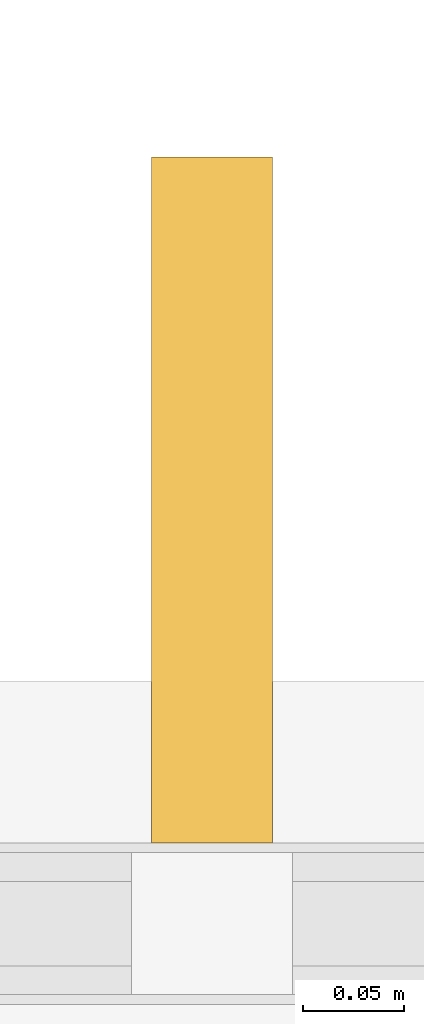
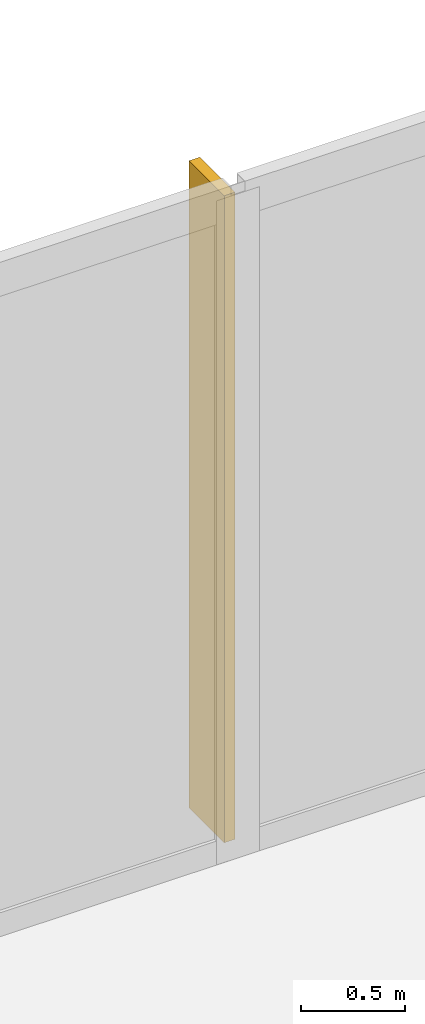
# One storey, part 28 of 31: 1 shading device.
"""IFC4 building model written with IfcOpenShell, lengths in metres."""

from ifc_helpers import new_model, si_unit, direction, frame, origin, place, context, subcontext, project, spatial, polyline, outline, extrude, material, layer, layer_set, type_object, element, save


model = new_model("IFC4")

# Units and contexts
model_context = context("Model", 3, precision=1e-05, world=origin(), true_north=direction((0.0, 1.0)))
body_context = subcontext(model_context, "Body", "Model", "MODEL_VIEW")
ifc_project = project(units=[si_unit("LENGTHUNIT", "METRE"), si_unit("AREAUNIT", "SQUARE_METRE"), si_unit("VOLUMEUNIT", "CUBIC_METRE"), si_unit("PLANEANGLEUNIT", "RADIAN"), si_unit("MASSUNIT", "GRAM", prefix="KILO")], contexts=[model_context])

# Site, building, storey
site_placement = place(None, origin())
site = spatial("IfcSite", under=ifc_project, at=site_placement, CompositionType="ELEMENT")
building_placement = place(site_placement, origin())
building = spatial("IfcBuilding", under=site, at=building_placement, Name="Cobrela Telecom Tower", CompositionType="ELEMENT")
storey_placement = place(building_placement, frame((0.0, 0.0, 9.449951171875)))
storey = spatial("IfcBuildingStorey", under=building, at=storey_placement, Name="L02", CompositionType="ELEMENT", Elevation=9.449951171875)

# Shading device
ifc_material = material(Name="Anodized Bronze Aluminium 6063-T6", Category="aluminium")
ifc_layer = layer(ifc_material, 0.06005859375)
ifc_layer_set = layer_set([ifc_layer], Name="Anodized Bronze Aluminium 6063-T6")
shading_device_type = type_object("IfcShadingDeviceType", Name="SHD-FIN-BRZ", PredefinedType="USERDEFINED", material=ifc_layer_set)
shading_device_placement = place(storey_placement, frame((0.0, 0.0, 0.050048828125)))
element("IfcShadingDevice", 1, at=shading_device_placement, inside=storey, type_object=shading_device_type, Name="L02 Anodized Bronze Solar Fin 03", ObjectType="SUNSHADE", PredefinedType="USERDEFINED", context=body_context, shape_type="SweptSolid", body=[
    extrude(outline(polyline([(56.909912109375, 28.719970703125), (56.969970703125, 28.719970703125), (56.969970703125, 29.06005859375), (56.909912109375, 29.06005859375), (56.909912109375, 28.719970703125)])), origin(), (0.0, 0.0, 1.0), 3.800048828125),
])

save(model, "model.ifc")
